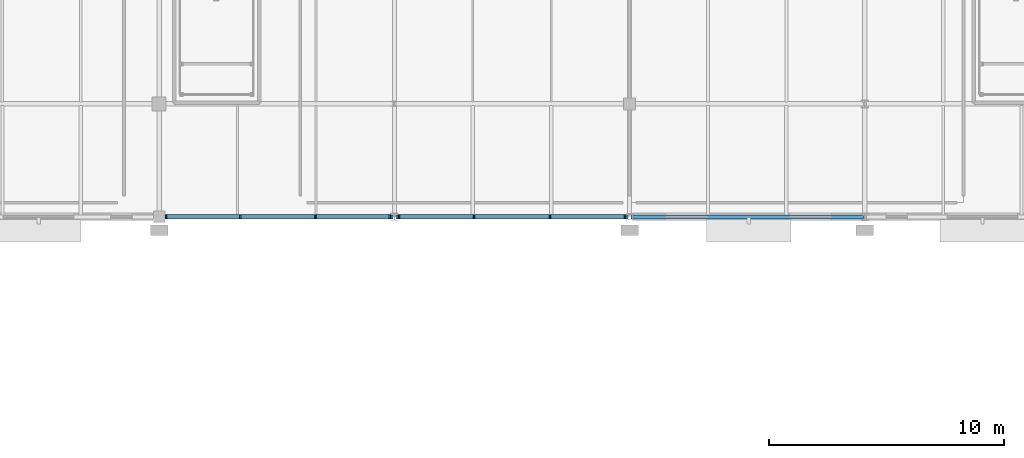
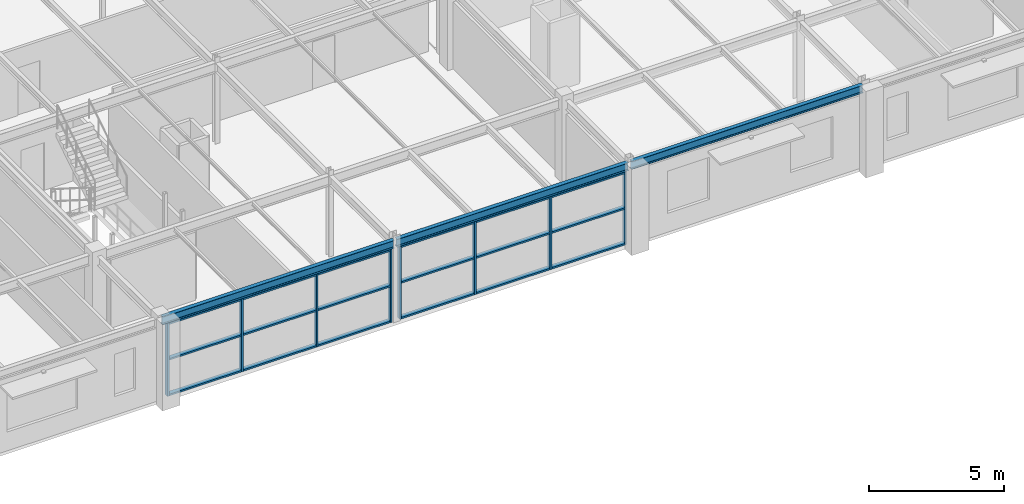
# One storey, part 54 of 98: 26 members, 3 beams, 2 elements without a shape of their own.
"""IFC4 building model written with IfcOpenShell, lengths in metres."""

from ifc_helpers import new_model, si_unit, derived_unit, direction, frame, origin, origin_2d_with_axis, place, context, subcontext, project, spatial, rectangle, i_section, extrude, material, material_profile, profile_set, type_object, element, aggregate, save


model = new_model("IFC4")

# Units and contexts
model_context = context("Model", 3, precision=1e-05, world=origin(), true_north=direction((0.0, 1.0)))
body_context = subcontext(model_context, "Body", "Model", "MODEL_VIEW")
ifc_project = project(units=[si_unit("LENGTHUNIT", "METRE"), si_unit("AREAUNIT", "SQUARE_METRE"), si_unit("VOLUMEUNIT", "CUBIC_METRE"), si_unit("PLANEANGLEUNIT", "RADIAN"), si_unit("MASSUNIT", "GRAM", prefix="KILO"), derived_unit("THERMALTRANSMITTANCEUNIT", [(si_unit("POWERUNIT", "WATT"), 1), (si_unit("LENGTHUNIT", "METRE"), -2), (si_unit("THERMODYNAMICTEMPERATUREUNIT", "KELVIN"), -1)])], contexts=[model_context])

# Site, building, storey
site_placement = place(None, origin())
site = spatial("IfcSite", under=ifc_project, at=site_placement, CompositionType="ELEMENT")
building_placement = place(site_placement, origin())
building = spatial("IfcBuilding", under=site, at=building_placement, Name="Cinnabar Yard Market Hall", CompositionType="ELEMENT")
storey_placement = place(building_placement, frame((0.0, 0.0, 4.5)))
storey = spatial("IfcBuildingStorey", under=building, at=storey_placement, Name="L01", CompositionType="ELEMENT", Elevation=4.5)

# Beams
ifc_material_1 = material(Name="Steel Grade 300 (300 MPa)", Category="steel")
ifc_material_profile_1 = material_profile(ifc_material_1, i_section(OverallWidth=0.172119140625, OverallDepth=0.358642578125, WebThickness=0.008056640625, FlangeThickness=0.012939453125, FilletRadius=0.011474609375, at=origin_2d_with_axis()), Name="360UB56.7")
ifc_profile_set_1 = profile_set([ifc_material_profile_1], Name="Steel Grade 300 (300 MPa)")
beam_type = type_object("IfcBeamType", Name="BM-SP02E", PredefinedType="SPANDREL", material=ifc_profile_set_1)
for number, where, z_axis, x_axis, name in (
    (1, (106.06005859375, 108.0, 3.470703125), (1.0, 0.0, 0.0), (0.0, 1.0, 0.0), "V3 L01 Girder X 01043"),
    (2, (116.06005859375, 108.0, 3.470703125), (1.0, 0.0, 0.0), (0.0, 1.0, 0.0), "V3 L01 Girder X 01048"),
    (3, (126.06005859375, 108.0, 3.470703125), (1.0, 0.0, 0.0), (0.0, 1.0, 0.0), "V3 L01 Girder X 01053"),
):
    element("IfcBeam", number, at=place(storey_placement, frame(where, z_axis=z_axis, x_axis=x_axis)), inside=storey, type_object=beam_type, Name=name, PredefinedType="SPANDREL", context=body_context, shape_type="SweptSolid", body=[
        extrude(i_section(OverallWidth=0.172119140625, OverallDepth=0.358642578125, WebThickness=0.008056640625, FlangeThickness=0.012939453125, FilletRadius=0.011474609375, at=origin_2d_with_axis()), origin(), (0.0, 0.0, 1.0), 9.8798828125),
    ])

# Curtain wall, members
ifc_material_2 = material(Name="Anodised bronze aluminium courtyard facade", Category="aluminium")
curtain_wall_type_1 = type_object("IfcCurtainWallType", Name="CW-CWF096x33", PredefinedType="NOTDEFINED", material=ifc_material_2)
curtain_wall_1_placement = place(storey_placement, origin())
curtain_wall_1 = element("IfcCurtainWall", 4, at=curtain_wall_1_placement, inside=storey, type_object=curtain_wall_type_1, Name="Wing South Pishtaq Glazing L01 Bay 5", PredefinedType="NOTDEFINED")
ifc_material_3 = material(Name="Anodised bronze aluminium", Category="aluminium")
ifc_material_profile_2 = material_profile(ifc_material_3, rectangle(XDim=0.179931640625, YDim=0.074951171875, at=origin_2d_with_axis()), Name="MUL-CWF")
ifc_profile_set_2 = profile_set([ifc_material_profile_2], Name="Anodised bronze aluminium")
member_type_1 = type_object("IfcMemberType", Name="CWM-CWF", PredefinedType="MULLION", material=ifc_profile_set_2)
member_1_placement = place(storey_placement, frame((106.29150390625, 108.0, 0.0), z_axis=(0.0, 0.0, 1.0), x_axis=(0.0, 1.0, 0.0)))
member_1 = element("IfcMember", 5, at=member_1_placement, type_object=member_type_1, Name="CWF096x33 mullion 1", PredefinedType="MULLION", context=body_context, shape_type="SweptSolid", body=[
    extrude(rectangle(XDim=0.179931640625, YDim=0.074951171875, at=origin_2d_with_axis()), origin(), (0.0, 0.0, 1.0), 3.2900390625),
])
member_2_placement = place(storey_placement, frame((109.44921875, 108.0, 0.0), z_axis=(0.0, 0.0, 1.0), x_axis=(0.0, 1.0, 0.0)))
member_2 = element("IfcMember", 6, at=member_2_placement, type_object=member_type_1, Name="CWF096x33 mullion 2", PredefinedType="MULLION", context=body_context, shape_type="SweptSolid", body=[
    extrude(rectangle(XDim=0.179931640625, YDim=0.074951171875, at=origin_2d_with_axis()), origin(), (0.0, 0.0, 1.0), 3.2900390625),
])
member_3_placement = place(storey_placement, frame((112.644775390625, 108.0, 0.0), z_axis=(0.0, 0.0, 1.0), x_axis=(0.0, 1.0, 0.0)))
member_3 = element("IfcMember", 7, at=member_3_placement, type_object=member_type_1, Name="CWF096x33 mullion 3", PredefinedType="MULLION", context=body_context, shape_type="SweptSolid", body=[
    extrude(rectangle(XDim=0.179931640625, YDim=0.074951171875, at=origin_2d_with_axis()), origin(), (0.0, 0.0, 1.0), 3.2900390625),
])
member_4_placement = place(storey_placement, frame((115.802490234375, 108.0, 0.0), z_axis=(0.0, 0.0, 1.0), x_axis=(0.0, 1.0, 0.0)))
member_4 = element("IfcMember", 8, at=member_4_placement, type_object=member_type_1, Name="CWF096x33 mullion 4", PredefinedType="MULLION", context=body_context, shape_type="SweptSolid", body=[
    extrude(rectangle(XDim=0.179931640625, YDim=0.074951171875, at=origin_2d_with_axis()), origin(), (0.0, 0.0, 1.0), 3.2900390625),
])

curtain_wall_type_2 = type_object("IfcCurtainWallType", Name="CW-CWF097x33", PredefinedType="NOTDEFINED", material=ifc_material_2)
curtain_wall_2_placement = place(storey_placement, origin())
curtain_wall_2 = element("IfcCurtainWall", 9, at=curtain_wall_2_placement, inside=storey, type_object=curtain_wall_type_2, Name="Wing South Pishtaq Glazing L01 Bay 6", PredefinedType="NOTDEFINED")
member_5_placement = place(storey_placement, frame((116.197509765625, 108.0, 0.0), z_axis=(0.0, 0.0, 1.0), x_axis=(0.0, 1.0, 0.0)))
member_5 = element("IfcMember", 10, at=member_5_placement, type_object=member_type_1, Name="CWF097x33 mullion 1", PredefinedType="MULLION", context=body_context, shape_type="SweptSolid", body=[
    extrude(rectangle(XDim=0.179931640625, YDim=0.074951171875, at=origin_2d_with_axis()), origin(), (0.0, 0.0, 1.0), 3.2900390625),
])
member_6_placement = place(storey_placement, frame((119.38671875, 108.0, 0.0), z_axis=(0.0, 0.0, 1.0), x_axis=(0.0, 1.0, 0.0)))
member_6 = element("IfcMember", 11, at=member_6_placement, type_object=member_type_1, Name="CWF097x33 mullion 2", PredefinedType="MULLION", context=body_context, shape_type="SweptSolid", body=[
    extrude(rectangle(XDim=0.179931640625, YDim=0.074951171875, at=origin_2d_with_axis()), origin(), (0.0, 0.0, 1.0), 3.2900390625),
])
member_7_placement = place(storey_placement, frame((122.61328125, 108.0, 0.0), z_axis=(0.0, 0.0, 1.0), x_axis=(0.0, 1.0, 0.0)))
member_7 = element("IfcMember", 12, at=member_7_placement, type_object=member_type_1, Name="CWF097x33 mullion 3", PredefinedType="MULLION", context=body_context, shape_type="SweptSolid", body=[
    extrude(rectangle(XDim=0.179931640625, YDim=0.074951171875, at=origin_2d_with_axis()), origin(), (0.0, 0.0, 1.0), 3.2900390625),
])
member_8_placement = place(storey_placement, frame((125.802490234375, 108.0, 0.0), z_axis=(0.0, 0.0, 1.0), x_axis=(0.0, 1.0, 0.0)))
member_8 = element("IfcMember", 13, at=member_8_placement, type_object=member_type_1, Name="CWF097x33 mullion 4", PredefinedType="MULLION", context=body_context, shape_type="SweptSolid", body=[
    extrude(rectangle(XDim=0.179931640625, YDim=0.074951171875, at=origin_2d_with_axis()), origin(), (0.0, 0.0, 1.0), 3.2900390625),
])

# Member
ifc_material_profile_3 = material_profile(ifc_material_3, rectangle(XDim=0.179931640625, YDim=0.074951171875, at=origin_2d_with_axis()), Name="TRN-CWF")
ifc_profile_set_3 = profile_set([ifc_material_profile_3], Name="Anodised bronze aluminium")
member_type_2 = type_object("IfcMemberType", Name="CWT-CWF", PredefinedType="USERDEFINED", material=ifc_profile_set_3)
member_9_placement = place(storey_placement, frame((106.3291015625, 108.0, 0.03759765625), z_axis=(1.0, 0.0, 0.0), x_axis=(0.0, 1.0, 0.0)))
member_9 = element("IfcMember", 14, at=member_9_placement, type_object=member_type_2, Name="CWF096x33 transom 1.1", ObjectType="TRANSOM", PredefinedType="USERDEFINED", context=body_context, shape_type="SweptSolid", body=[
    extrude(rectangle(XDim=0.179931640625, YDim=0.074951171875, at=origin_2d_with_axis()), origin(), (0.0, 0.0, 1.0), 3.082763671875),
])

member_10_placement = place(storey_placement, frame((106.3291015625, 108.0, 1.64501953125), z_axis=(1.0, 0.0, 0.0), x_axis=(0.0, 1.0, 0.0)))
member_10 = element("IfcMember", 15, at=member_10_placement, type_object=member_type_2, Name="CWF096x33 transom 1.2", ObjectType="TRANSOM", PredefinedType="USERDEFINED", context=body_context, shape_type="SweptSolid", body=[
    extrude(rectangle(XDim=0.179931640625, YDim=0.074951171875, at=origin_2d_with_axis()), origin(), (0.0, 0.0, 1.0), 3.082763671875),
])

member_11_placement = place(storey_placement, frame((106.3291015625, 108.0, 3.25244140625), z_axis=(1.0, 0.0, 0.0), x_axis=(0.0, 1.0, 0.0)))
member_11 = element("IfcMember", 16, at=member_11_placement, type_object=member_type_2, Name="CWF096x33 transom 1.3", ObjectType="TRANSOM", PredefinedType="USERDEFINED", context=body_context, shape_type="SweptSolid", body=[
    extrude(rectangle(XDim=0.179931640625, YDim=0.074951171875, at=origin_2d_with_axis()), origin(), (0.0, 0.0, 1.0), 3.082763671875),
])

member_12_placement = place(storey_placement, frame((109.48681640625, 108.0, 0.03759765625), z_axis=(1.0, 0.0, 0.0), x_axis=(0.0, 1.0, 0.0)))
member_12 = element("IfcMember", 17, at=member_12_placement, type_object=member_type_2, Name="CWF096x33 transom 2.1", ObjectType="TRANSOM", PredefinedType="USERDEFINED", context=body_context, shape_type="SweptSolid", body=[
    extrude(rectangle(XDim=0.179931640625, YDim=0.074951171875, at=origin_2d_with_axis()), origin(), (0.0, 0.0, 1.0), 3.120361328125),
])

member_13_placement = place(storey_placement, frame((109.48681640625, 108.0, 1.64501953125), z_axis=(1.0, 0.0, 0.0), x_axis=(0.0, 1.0, 0.0)))
member_13 = element("IfcMember", 18, at=member_13_placement, type_object=member_type_2, Name="CWF096x33 transom 2.2", ObjectType="TRANSOM", PredefinedType="USERDEFINED", context=body_context, shape_type="SweptSolid", body=[
    extrude(rectangle(XDim=0.179931640625, YDim=0.074951171875, at=origin_2d_with_axis()), origin(), (0.0, 0.0, 1.0), 3.120361328125),
])

member_14_placement = place(storey_placement, frame((109.48681640625, 108.0, 3.25244140625), z_axis=(1.0, 0.0, 0.0), x_axis=(0.0, 1.0, 0.0)))
member_14 = element("IfcMember", 19, at=member_14_placement, type_object=member_type_2, Name="CWF096x33 transom 2.3", ObjectType="TRANSOM", PredefinedType="USERDEFINED", context=body_context, shape_type="SweptSolid", body=[
    extrude(rectangle(XDim=0.179931640625, YDim=0.074951171875, at=origin_2d_with_axis()), origin(), (0.0, 0.0, 1.0), 3.120361328125),
])

member_15_placement = place(storey_placement, frame((112.68212890625, 108.0, 0.03759765625), z_axis=(1.0, 0.0, 0.0), x_axis=(0.0, 1.0, 0.0)))
member_15 = element("IfcMember", 20, at=member_15_placement, type_object=member_type_2, Name="CWF096x33 transom 3.1", ObjectType="TRANSOM", PredefinedType="USERDEFINED", context=body_context, shape_type="SweptSolid", body=[
    extrude(rectangle(XDim=0.179931640625, YDim=0.074951171875, at=origin_2d_with_axis()), origin(), (0.0, 0.0, 1.0), 3.082763671875),
])

member_16_placement = place(storey_placement, frame((112.68212890625, 108.0, 1.64501953125), z_axis=(1.0, 0.0, 0.0), x_axis=(0.0, 1.0, 0.0)))
member_16 = element("IfcMember", 21, at=member_16_placement, type_object=member_type_2, Name="CWF096x33 transom 3.2", ObjectType="TRANSOM", PredefinedType="USERDEFINED", context=body_context, shape_type="SweptSolid", body=[
    extrude(rectangle(XDim=0.179931640625, YDim=0.074951171875, at=origin_2d_with_axis()), origin(), (0.0, 0.0, 1.0), 3.082763671875),
])

member_17_placement = place(storey_placement, frame((112.68212890625, 108.0, 3.25244140625), z_axis=(1.0, 0.0, 0.0), x_axis=(0.0, 1.0, 0.0)))
member_17 = element("IfcMember", 22, at=member_17_placement, type_object=member_type_2, Name="CWF096x33 transom 3.3", ObjectType="TRANSOM", PredefinedType="USERDEFINED", context=body_context, shape_type="SweptSolid", body=[
    extrude(rectangle(XDim=0.179931640625, YDim=0.074951171875, at=origin_2d_with_axis()), origin(), (0.0, 0.0, 1.0), 3.082763671875),
])

aggregate(curtain_wall_1, [member_1, member_2, member_3, member_4, member_9, member_10, member_11, member_12, member_13, member_14, member_15, member_16, member_17])

member_18_placement = place(storey_placement, frame((116.235107421875, 108.0, 0.03759765625), z_axis=(1.0, 0.0, 0.0), x_axis=(0.0, 1.0, 0.0)))
member_18 = element("IfcMember", 23, at=member_18_placement, type_object=member_type_2, Name="CWF097x33 transom 1.1", ObjectType="TRANSOM", PredefinedType="USERDEFINED", context=body_context, shape_type="SweptSolid", body=[
    extrude(rectangle(XDim=0.179931640625, YDim=0.074951171875, at=origin_2d_with_axis()), origin(), (0.0, 0.0, 1.0), 3.114013671875),
])

member_19_placement = place(storey_placement, frame((116.235107421875, 108.0, 1.64501953125), z_axis=(1.0, 0.0, 0.0), x_axis=(0.0, 1.0, 0.0)))
member_19 = element("IfcMember", 24, at=member_19_placement, type_object=member_type_2, Name="CWF097x33 transom 1.2", ObjectType="TRANSOM", PredefinedType="USERDEFINED", context=body_context, shape_type="SweptSolid", body=[
    extrude(rectangle(XDim=0.179931640625, YDim=0.074951171875, at=origin_2d_with_axis()), origin(), (0.0, 0.0, 1.0), 3.114013671875),
])

member_20_placement = place(storey_placement, frame((116.235107421875, 108.0, 3.25244140625), z_axis=(1.0, 0.0, 0.0), x_axis=(0.0, 1.0, 0.0)))
member_20 = element("IfcMember", 25, at=member_20_placement, type_object=member_type_2, Name="CWF097x33 transom 1.3", ObjectType="TRANSOM", PredefinedType="USERDEFINED", context=body_context, shape_type="SweptSolid", body=[
    extrude(rectangle(XDim=0.179931640625, YDim=0.074951171875, at=origin_2d_with_axis()), origin(), (0.0, 0.0, 1.0), 3.114013671875),
])

member_21_placement = place(storey_placement, frame((119.424072265625, 108.0, 0.03759765625), z_axis=(1.0, 0.0, 0.0), x_axis=(0.0, 1.0, 0.0)))
member_21 = element("IfcMember", 26, at=member_21_placement, type_object=member_type_2, Name="CWF097x33 transom 2.1", ObjectType="TRANSOM", PredefinedType="USERDEFINED", context=body_context, shape_type="SweptSolid", body=[
    extrude(rectangle(XDim=0.179931640625, YDim=0.074951171875, at=origin_2d_with_axis()), origin(), (0.0, 0.0, 1.0), 3.15185546875),
])

member_22_placement = place(storey_placement, frame((119.424072265625, 108.0, 1.64501953125), z_axis=(1.0, 0.0, 0.0), x_axis=(0.0, 1.0, 0.0)))
member_22 = element("IfcMember", 27, at=member_22_placement, type_object=member_type_2, Name="CWF097x33 transom 2.2", ObjectType="TRANSOM", PredefinedType="USERDEFINED", context=body_context, shape_type="SweptSolid", body=[
    extrude(rectangle(XDim=0.179931640625, YDim=0.074951171875, at=origin_2d_with_axis()), origin(), (0.0, 0.0, 1.0), 3.15185546875),
])

member_23_placement = place(storey_placement, frame((119.424072265625, 108.0, 3.25244140625), z_axis=(1.0, 0.0, 0.0), x_axis=(0.0, 1.0, 0.0)))
member_23 = element("IfcMember", 28, at=member_23_placement, type_object=member_type_2, Name="CWF097x33 transom 2.3", ObjectType="TRANSOM", PredefinedType="USERDEFINED", context=body_context, shape_type="SweptSolid", body=[
    extrude(rectangle(XDim=0.179931640625, YDim=0.074951171875, at=origin_2d_with_axis()), origin(), (0.0, 0.0, 1.0), 3.15185546875),
])

member_24_placement = place(storey_placement, frame((122.65087890625, 108.0, 0.03759765625), z_axis=(1.0, 0.0, 0.0), x_axis=(0.0, 1.0, 0.0)))
member_24 = element("IfcMember", 29, at=member_24_placement, type_object=member_type_2, Name="CWF097x33 transom 3.1", ObjectType="TRANSOM", PredefinedType="USERDEFINED", context=body_context, shape_type="SweptSolid", body=[
    extrude(rectangle(XDim=0.179931640625, YDim=0.074951171875, at=origin_2d_with_axis()), origin(), (0.0, 0.0, 1.0), 3.114013671875),
])

member_25_placement = place(storey_placement, frame((122.65087890625, 108.0, 1.64501953125), z_axis=(1.0, 0.0, 0.0), x_axis=(0.0, 1.0, 0.0)))
member_25 = element("IfcMember", 30, at=member_25_placement, type_object=member_type_2, Name="CWF097x33 transom 3.2", ObjectType="TRANSOM", PredefinedType="USERDEFINED", context=body_context, shape_type="SweptSolid", body=[
    extrude(rectangle(XDim=0.179931640625, YDim=0.074951171875, at=origin_2d_with_axis()), origin(), (0.0, 0.0, 1.0), 3.114013671875),
])

member_26_placement = place(storey_placement, frame((122.65087890625, 108.0, 3.25244140625), z_axis=(1.0, 0.0, 0.0), x_axis=(0.0, 1.0, 0.0)))
member_26 = element("IfcMember", 31, at=member_26_placement, type_object=member_type_2, Name="CWF097x33 transom 3.3", ObjectType="TRANSOM", PredefinedType="USERDEFINED", context=body_context, shape_type="SweptSolid", body=[
    extrude(rectangle(XDim=0.179931640625, YDim=0.074951171875, at=origin_2d_with_axis()), origin(), (0.0, 0.0, 1.0), 3.114013671875),
])

aggregate(curtain_wall_2, [member_5, member_6, member_7, member_8, member_18, member_19, member_20, member_21, member_22, member_23, member_24, member_25, member_26])

save(model, "model.ifc")
